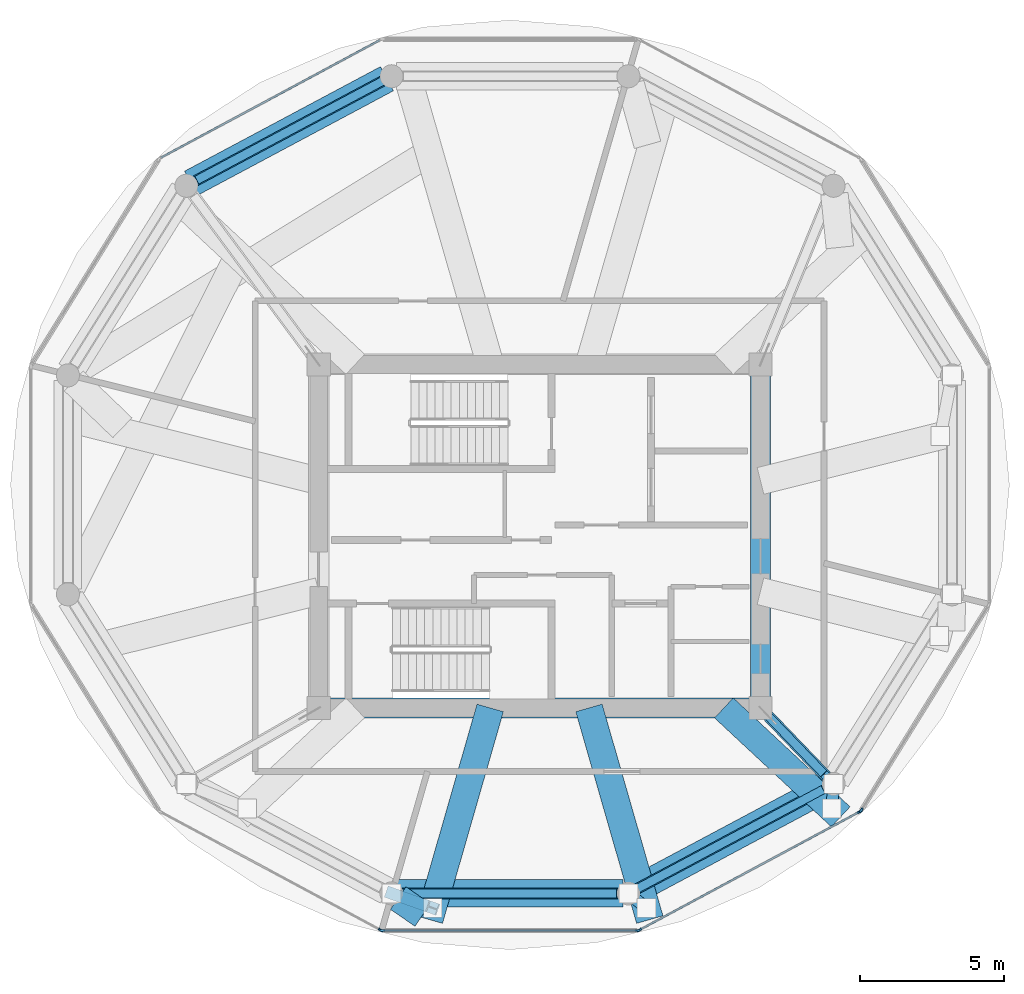
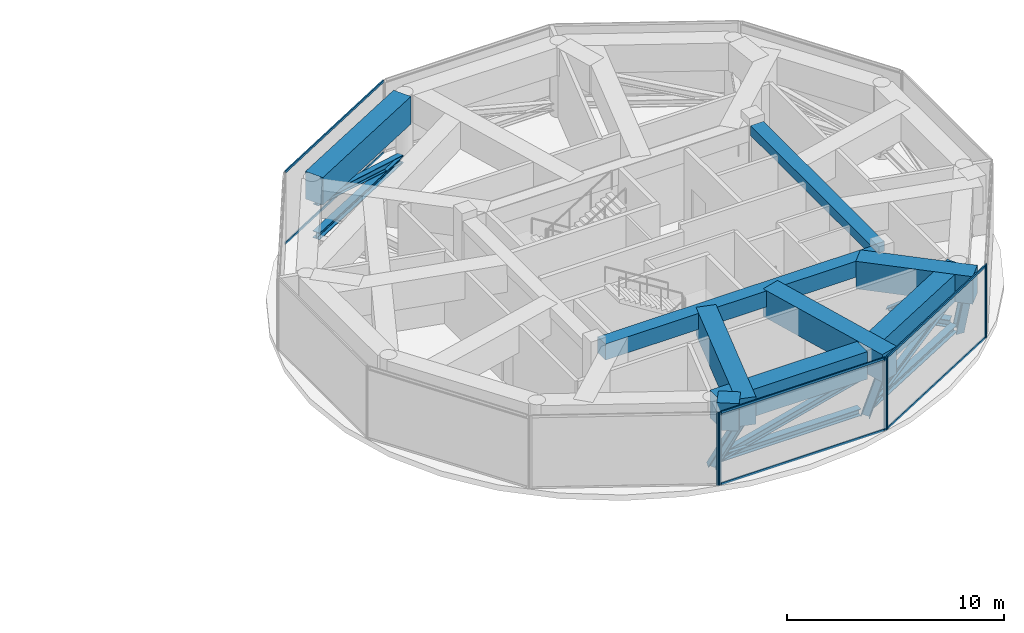
# One storey, part 8 of 20: 23 members, 9 beams, 5 elements without a shape of their own.
"""IFC4 building model written with IfcOpenShell, lengths in metres."""

import ifcopenshell
import ifcopenshell.guid

model = None  # the IFC model being written
_history = None  # IfcOwnerHistory: only IFC2X3 demands one
_inside = {}  # id of a spatial element -> (the spatial element, [elements in it])
_under = {}  # id of a project, library or spatial element -> (it, [spatial elements below it])
_declared = {}  # id of a project -> (the project, [libraries it declares])
_typed = {}  # id of a type object -> (the type object, [elements of that type])
_made_of = {}  # id of a material, layer set ... -> (it, [elements and type objects made of it])


def new_model(schema):
    """Start an empty IFC model of exactly this schema.

    Asked for "IFC4X3", IfcOpenShell would pick the latest addendum, in which some entities
    have other attributes; the version numbers below select the first issue.
    IFC2X3 requires an IfcOwnerHistory on every rooted entity: one is made here for all.
    """
    global model, _history
    if schema == "IFC4X3":
        model = ifcopenshell.file(schema_version=(4, 3, 0, 0))
    else:
        model = ifcopenshell.file(schema=schema)
    _inside.clear()
    _under.clear()
    _declared.clear()
    _typed.clear()
    _made_of.clear()
    _history = None
    if model.schema == "IFC2X3":
        org = make("IfcOrganization", Name="unknown")
        user = make(
            "IfcPersonAndOrganization",
            ThePerson=make("IfcPerson", FamilyName="unknown"),
            TheOrganization=org,
        )
        app = make(
            "IfcApplication",
            ApplicationDeveloper=org,
            Version="unknown",
            ApplicationFullName="unknown",
            ApplicationIdentifier="unknown",
        )
        _history = make(
            "IfcOwnerHistory",
            OwningUser=user,
            OwningApplication=app,
            ChangeAction="ADDED",
            CreationDate=0,
        )
    return model


def make(cls, **values):
    """One entity of the class cls with the attributes given. An attribute that is None is left unset."""
    return model.create_entity(
        cls, **{name: value for name, value in values.items() if value is not None}
    )


def rooted(cls, **values):
    """An entity with a GlobalId (a new one), such as an element, a storey or a relation."""
    return make(cls, GlobalId=ifcopenshell.guid.new(), OwnerHistory=_history, **values)


def si_unit(unit_type, name, prefix=None):
    """IfcSIUnit, for example si_unit("LENGTHUNIT", "METRE", prefix="MILLI")."""
    return make("IfcSIUnit", UnitType=unit_type, Prefix=prefix, Name=name)


def assignment(units):
    """IfcUnitAssignment: the units of a project."""
    return None if units is None else make("IfcUnitAssignment", Units=units)


def point(xyz):
    """IfcCartesianPoint."""
    return None if xyz is None else make("IfcCartesianPoint", Coordinates=xyz)


def direction(xyz):
    """IfcDirection."""
    return None if xyz is None else make("IfcDirection", DirectionRatios=xyz)


def frame(location, z_axis=None, x_axis=None):
    """IfcAxis2Placement3D, a coordinate frame: its origin and axes. An axis left out is left unset."""
    return make(
        "IfcAxis2Placement3D",
        Location=point(location),
        Axis=direction(z_axis),
        RefDirection=direction(x_axis),
    )


def frame_2d(location, x_axis=None):
    """IfcAxis2Placement2D, a coordinate frame in the plane: its origin and x axis."""
    return make(
        "IfcAxis2Placement2D", Location=point(location), RefDirection=direction(x_axis)
    )


def origin():
    """The frame at (0, 0, 0) with its axes left unset."""
    return frame((0.0, 0.0, 0.0))


def origin_2d():
    """The frame at (0, 0) in the plane with its x axis left unset."""
    return frame_2d((0.0, 0.0))


def place(relative_to, where):
    """IfcLocalPlacement: puts the frame where relative to a parent placement (None: the world)."""
    return make(
        "IfcLocalPlacement", PlacementRelTo=relative_to, RelativePlacement=where
    )


def context(
    kind, dimensions, precision=None, world=None, true_north=None, identifier=None
):
    """IfcGeometricRepresentationContext, for example the 3D "Model" context."""
    return make(
        "IfcGeometricRepresentationContext",
        ContextIdentifier=identifier,
        ContextType=kind,
        CoordinateSpaceDimension=dimensions,
        Precision=precision,
        WorldCoordinateSystem=world,
        TrueNorth=true_north,
    )


def subcontext(parent, identifier, kind, view, scale=None):
    """IfcGeometricRepresentationSubContext, for example "Body" below "Model"."""
    return make(
        "IfcGeometricRepresentationSubContext",
        ContextIdentifier=identifier,
        ContextType=kind,
        ParentContext=parent,
        TargetScale=scale,
        TargetView=view,
    )


def project(units=None, contexts=None):
    """IfcProject with its units and contexts."""
    return rooted(
        "IfcProject",
        Name="project",
        RepresentationContexts=contexts,
        UnitsInContext=assignment(units),
    )


def spatial(cls, under=None, at=None, **own):
    """A site, building, storey or space (cls), placed at a placement, below another one or the project."""
    s = rooted(cls, ObjectPlacement=at, **own)
    if under is not None:
        _under.setdefault(under.id(), (under, []))[1].append(s)
    return s


def profile(cls, at=None, kind="AREA", **sizes):
    """A parametric profile (cls). Its sizes go by their IFC names, for example OverallWidth=200.0."""
    return make(cls, ProfileType=kind, Position=at, **sizes)


def rectangle(**sizes):
    """IfcRectangleProfileDef."""
    return profile("IfcRectangleProfileDef", **sizes)


def i_section(**sizes):
    """IfcIShapeProfileDef."""
    return profile("IfcIShapeProfileDef", **sizes)


def extrude(swept, where, along, depth):
    """IfcExtrudedAreaSolid: the profile swept, set in the frame where, extruded along a direction by depth."""
    return make(
        "IfcExtrudedAreaSolid",
        SweptArea=swept,
        Position=where,
        ExtrudedDirection=direction(along),
        Depth=depth,
    )


def shape(context_of_items, identifier, shape_type, items):
    """IfcShapeRepresentation: the items that make up one representation, for example the "Body"."""
    return make(
        "IfcShapeRepresentation",
        ContextOfItems=context_of_items,
        RepresentationIdentifier=identifier,
        RepresentationType=shape_type,
        Items=items,
    )


def source(mapping_origin, context_of_items, identifier, shape_type, items):
    """IfcRepresentationMap: a shape defined once, which mapped items show again and again."""
    return make(
        "IfcRepresentationMap",
        MappingOrigin=mapping_origin,
        MappedRepresentation=shape(context_of_items, identifier, shape_type, items),
    )


def transform(
    local_origin,
    x_axis=None,
    y_axis=None,
    z_axis=None,
    scale=None,
    scale2=None,
    scale3=None,
    uniform=True,
):
    """IfcCartesianTransformationOperator3D, or its non-uniform kind. x_axis, y_axis, z_axis: its Axis1, 2, 3."""
    if uniform:
        return make(
            "IfcCartesianTransformationOperator3D",
            Axis1=direction(x_axis),
            Axis2=direction(y_axis),
            LocalOrigin=point(local_origin),
            Scale=scale,
            Axis3=direction(z_axis),
        )
    return make(
        "IfcCartesianTransformationOperator3DnonUniform",
        Axis1=direction(x_axis),
        Axis2=direction(y_axis),
        LocalOrigin=point(local_origin),
        Scale=scale,
        Axis3=direction(z_axis),
        Scale2=scale2,
        Scale3=scale3,
    )


def mapped(mapping_source, mapping_target):
    """IfcMappedItem: shows the shape of a source again, moved by a transform."""
    return make(
        "IfcMappedItem", MappingSource=mapping_source, MappingTarget=mapping_target
    )


def material(Name=None, Category=None):
    """IfcMaterial."""
    return make("IfcMaterial", Name=Name, Category=Category)


def layer(
    of_material, thickness, ventilated=None, Name=None, Category=None, Priority=None
):
    """IfcMaterialLayer: one layer of a wall or slab, of a material (None: an air gap)."""
    return make(
        "IfcMaterialLayer",
        Material=of_material,
        LayerThickness=thickness,
        IsVentilated=ventilated,
        Name=Name,
        Category=Category,
        Priority=Priority,
    )


def layer_set(layers, Name=None):
    """IfcMaterialLayerSet."""
    return make("IfcMaterialLayerSet", MaterialLayers=layers, LayerSetName=Name)


def material_profile(
    of_material, cross_section, Name=None, Category=None, Priority=None
):
    """IfcMaterialProfile: a cross section and its material."""
    return make(
        "IfcMaterialProfile",
        Name=Name,
        Material=of_material,
        Profile=cross_section,
        Priority=Priority,
        Category=Category,
    )


def profile_set(profiles, Name=None, composite=None):
    """IfcMaterialProfileSet."""
    return make(
        "IfcMaterialProfileSet",
        Name=Name,
        MaterialProfiles=profiles,
        CompositeProfile=composite,
    )


def made_of(thing, what):
    """Note that an element or type object is made of a material, layer set ...; save() writes the relation."""
    if what is not None:
        _made_of.setdefault(what.id(), (what, []))[1].append(thing)
    return thing


def type_object(cls, material=None, **own):
    """A type object (cls), such as IfcWallType, which elements share."""
    return made_of(rooted(cls, **own), material)


def type_shapes(of_type, sources):
    """Give a type object the sources (RepresentationMaps) that its elements show as mapped items."""
    of_type.RepresentationMaps = sources


def element(
    cls,
    number,
    at=None,
    inside=None,
    cuts=None,
    type_object=None,
    material=None,
    context=None,
    identifier="Body",
    shape_type=None,
    held_by="IfcProductDefinitionShape",
    body=None,
    shapes=None,
    **own,
):
    """One element of the class cls, such as IfcWall. Its Tag is "e" and its number.

    at: its placement. inside: the storey or other place that contains it. cuts: it is an
    opening in that element (IfcRelVoidsElement). A single representation is given by context,
    identifier, shape_type and body (its items); several are given by shapes. held_by: the class
    of the entity that holds the representations. save() writes the other relations.
    """
    e = rooted(cls, Tag="e%d" % number, ObjectPlacement=at, **own)
    if body is not None:
        shapes = [shape(context, identifier, shape_type, body)]
    if shapes is not None:
        e.Representation = make(held_by, Representations=shapes)
    if inside is not None:
        _inside.setdefault(inside.id(), (inside, []))[1].append(e)
    if cuts is not None:
        rooted(
            "IfcRelVoidsElement", RelatingBuildingElement=cuts, RelatedOpeningElement=e
        )
    if type_object is not None:
        _typed.setdefault(type_object.id(), (type_object, []))[1].append(e)
    return made_of(e, material)


def aggregate(whole, parts):
    """IfcRelAggregates: a whole, such as a stair, and the parts it consists of."""
    return rooted("IfcRelAggregates", RelatingObject=whole, RelatedObjects=parts)


def save(model, path):
    """Write the relations noted so far, then the file.

    IfcRelAggregates (storeys below a building ...), IfcRelContainedInSpatialStructure (elements
    in a storey), IfcRelDefinesByType, IfcRelAssociatesMaterial and IfcRelDeclares: one each for
    every whole, place, type object, material and project.
    """
    for whole, parts in _under.values():
        aggregate(whole, parts)
    for where, things in _inside.values():
        rooted(
            "IfcRelContainedInSpatialStructure",
            RelatedElements=things,
            RelatingStructure=where,
        )
    for kind, things in _typed.values():
        rooted("IfcRelDefinesByType", RelatedObjects=things, RelatingType=kind)
    for what, things in _made_of.values():
        rooted("IfcRelAssociatesMaterial", RelatedObjects=things, RelatingMaterial=what)
    for by, libraries in _declared.values():
        rooted("IfcRelDeclares", RelatingContext=by, RelatedDefinitions=libraries)
    model.write(path)


model = new_model("IFC4")

# Units and contexts
model_context = context("Model", 3, precision=1e-05, world=origin(), true_north=direction((0.0, 1.0)))
body_context = subcontext(model_context, "Body", "Model", "MODEL_VIEW")
ifc_project = project(units=[si_unit("LENGTHUNIT", "METRE"), si_unit("AREAUNIT", "SQUARE_METRE"), si_unit("VOLUMEUNIT", "CUBIC_METRE"), si_unit("PLANEANGLEUNIT", "RADIAN"), si_unit("MASSUNIT", "GRAM", prefix="KILO")], contexts=[model_context])

# Site, building, storey
site_placement = place(None, origin())
site = spatial("IfcSite", under=ifc_project, at=site_placement, CompositionType="ELEMENT")
building_placement = place(site_placement, origin())
building = spatial("IfcBuilding", under=site, at=building_placement, Name="Norrkilde Senior Care Towers", CompositionType="ELEMENT")
storey_placement = place(building_placement, frame((0.0, 0.0, 186.14990234375)))
storey = spatial("IfcBuildingStorey", under=building, at=storey_placement, Name="L58", CompositionType="ELEMENT", Elevation=186.14990234375)

# Beams
ifc_material_1 = material(Name="Concrete C60/75", Category="concrete")
ifc_material_profile_1 = material_profile(ifc_material_1, rectangle(XDim=0.699951171875, YDim=0.89990234375, at=origin_2d()), Name="RC BM 700x900")
ifc_profile_set_1 = profile_set([ifc_material_profile_1], Name="Concrete C60/75")
beam_type_1 = type_object("IfcBeamType", Name="Core Coupling Girder 700x900", PredefinedType="USERDEFINED", material=ifc_profile_set_1)
shared_shape_1 = source(origin(), body_context, "Body", "SweptSolid", [
    extrude(rectangle(XDim=0.699951171875, YDim=0.89990234375, at=origin_2d()), origin(), (0.0, 0.0, 1.0), 14.5400390625),
])
type_shapes(beam_type_1, [shared_shape_1])
beam_1_placement = place(storey_placement, frame((20.72998046875, -5.949951171875, 3.630126953125), z_axis=(1.0, 0.0, 0.0), x_axis=(0.0, 1.0, 0.0)))
element("IfcBeam", 1, at=beam_1_placement, inside=storey, type_object=beam_type_1, Name="L58 Core E S Coupling Girder", ObjectType="GIRDER", PredefinedType="USERDEFINED", context=body_context, shape_type="MappedRepresentation", body=[
    mapped(shared_shape_1, transform((0.0, 0.0, 0.0), x_axis=(1.0, 0.0, 0.0), y_axis=(0.0, 1.0, 0.0), z_axis=(0.0, 0.0, 1.0), scale=1.0)),
])
ifc_material_profile_2 = material_profile(ifc_material_1, rectangle(XDim=0.699951171875, YDim=0.550048828125, at=origin_2d()), Name="RC BM 700x550")
ifc_profile_set_2 = profile_set([ifc_material_profile_2], Name="Concrete C60/75")
beam_type_2 = type_object("IfcBeamType", Name="Core Portal Coupling Beam 700x550", PredefinedType="USERDEFINED", material=ifc_profile_set_2)
shared_shape_2 = source(origin(), body_context, "Body", "SweptSolid", [
    extrude(rectangle(XDim=0.699951171875, YDim=0.550048828125, at=origin_2d()), origin(), (0.0, 0.0, 1.0), 11.14013671875),
])
type_shapes(beam_type_2, [shared_shape_2])
beam_2_placement = place(storey_placement, frame((35.64990234375, -5.570068359375, 3.80517578125), z_axis=(0.0, 1.0, 0.0), x_axis=(-1.0, 0.0, 0.0)))
element("IfcBeam", 2, at=beam_2_placement, inside=storey, type_object=beam_type_2, Name="L58 Core E E Coupling Girder", ObjectType="GIRDER", PredefinedType="USERDEFINED", context=body_context, shape_type="MappedRepresentation", body=[
    mapped(shared_shape_2, transform((0.0, 0.0, 0.0), x_axis=(1.0, 0.0, 0.0), y_axis=(0.0, 1.0, 0.0), z_axis=(0.0, 0.0, 1.0), scale=1.0)),
])
ifc_material_profile_3 = material_profile(ifc_material_1, rectangle(XDim=0.949951171875, YDim=1.550048828125, at=origin_2d()), Name="RC TG 950x1550")
ifc_profile_set_3 = profile_set([ifc_material_profile_3], Name="Concrete C60/75")
beam_type_3 = type_object("IfcBeamType", Name="Transfer Girder Zone Shift 950x1550", PredefinedType="USERDEFINED", material=ifc_profile_set_3)
shared_shape_3 = source(origin(), body_context, "Body", "SweptSolid", [
    extrude(rectangle(XDim=0.949951171875, YDim=1.550048828125, at=origin_2d()), origin(), (0.0, 0.0, 1.0), 7.693603515625),
])
beam_3_placement = place(storey_placement, frame((22.7138671875, 15.84130859375, 3.30517578125), z_axis=(-0.882243992808, -0.470792456561, 0.0), x_axis=(0.470792456561, -0.882243992808, 0.0)))
element("IfcBeam", 3, at=beam_3_placement, inside=storey, type_object=beam_type_3, Name="L58 Drum E Zone Ring Transfer Girder 04", ObjectType="GIRDER", PredefinedType="USERDEFINED", context=body_context, shape_type="MappedRepresentation", body=[
    mapped(shared_shape_3, transform((0.0, 0.0, 0.0), x_axis=(1.0, 0.0, 0.0), y_axis=(0.0, 1.0, 0.0), z_axis=(0.0, 0.0, 1.0), scale=1.0)),
])
shared_shape_4 = source(origin(), body_context, "Body", "SweptSolid", [
    extrude(rectangle(XDim=0.949951171875, YDim=1.550048828125, at=origin_2d()), origin(), (0.0, 0.0, 1.0), 7.844482421875),
])
beam_4_placement = place(storey_placement, frame((23.052734375, -12.37548828125, 3.30517578125), z_axis=(1.0, 0.0, 0.0), x_axis=(0.0, 1.0, 0.0)))
element("IfcBeam", 4, at=beam_4_placement, inside=storey, type_object=beam_type_3, Name="L58 Drum E Zone Ring Transfer Girder 09", ObjectType="GIRDER", PredefinedType="USERDEFINED", context=body_context, shape_type="MappedRepresentation", body=[
    mapped(shared_shape_4, transform((0.0, 0.0, 0.0), x_axis=(1.0, 0.0, 0.0), y_axis=(0.0, 1.0, 0.0), z_axis=(0.0, 0.0, 1.0), scale=1.0)),
])
shared_shape_5 = source(origin(), body_context, "Body", "SweptSolid", [
    extrude(rectangle(XDim=0.949951171875, YDim=1.550048828125, at=origin_2d()), origin(), (0.0, 0.0, 1.0), 7.69384765625),
])
beam_5_placement = place(storey_placement, frame((31.236083984375, -12.290771484375, 3.30517578125), z_axis=(0.88223784603, 0.470803975166, 0.0), x_axis=(-0.470803975166, 0.88223784603, 0.0)))
element("IfcBeam", 5, at=beam_5_placement, inside=storey, type_object=beam_type_3, Name="L58 Drum E Zone Ring Transfer Girder 10", ObjectType="GIRDER", PredefinedType="USERDEFINED", context=body_context, shape_type="MappedRepresentation", body=[
    mapped(shared_shape_5, transform((0.0, 0.0, 0.0), x_axis=(1.0, 0.0, 0.0), y_axis=(0.0, 1.0, 0.0), z_axis=(0.0, 0.0, 1.0), scale=1.0)),
])
shared_shape_6 = source(origin(), body_context, "Body", "SweptSolid", [
    extrude(rectangle(XDim=0.949951171875, YDim=1.550048828125, at=origin_2d()), origin(), (0.0, 0.0, 1.0), 5.532958984375),
])
beam_6_placement = place(storey_placement, frame((34.3828125, -5.949951171875, 3.30517578125), z_axis=(0.731470395808, -0.681873199398, 0.0), x_axis=(0.681873199398, 0.731470395808, 0.0)))
element("IfcBeam", 6, at=beam_6_placement, inside=storey, type_object=beam_type_3, Name="L58 Drum E Zone Transfer Girder 11", ObjectType="GIRDER", PredefinedType="USERDEFINED", context=body_context, shape_type="MappedRepresentation", body=[
    mapped(shared_shape_6, transform((0.0, 0.0, 0.0), x_axis=(1.0, 0.0, 0.0), y_axis=(0.0, 1.0, 0.0), z_axis=(0.0, 0.0, 1.0), scale=1.0)),
])

# Member
ifc_material_2 = material(Name="Steel S355", Category="steel")
ifc_material_profile_4 = material_profile(ifc_material_2, i_section(OverallWidth=0.412109375, OverallDepth=0.449951171875, WebThickness=0.028076171875, FlangeThickness=0.044921875, FilletRadius=0.014892578125, at=origin_2d()), Name="HD 400x509")
ifc_profile_set_4 = profile_set([ifc_material_profile_4], Name="Steel S355")
member_type_1 = type_object("IfcMemberType", Name="Pratt Bridge Truss Diagonal HD400x509", PredefinedType="BRACE", material=ifc_profile_set_4)
shared_shape_7 = source(origin(), body_context, "Body", "SweptSolid", [
    extrude(i_section(OverallWidth=0.412109375, OverallDepth=0.449951171875, WebThickness=0.028076171875, FlangeThickness=0.044921875, FilletRadius=0.014892578125, at=origin_2d()), origin(), (0.0, 0.0, 1.0), 2.81298828125),
])
member_1_placement = place(storey_placement, frame((38.1826171875, -8.583740234375, 0.150146484375), z_axis=(-0.021351053054, -0.303080801884, 0.952725647846), x_axis=(0.99752782651, -0.070272578844, 0.0)))
element("IfcMember", 7, at=member_1_placement, inside=storey, type_object=member_type_1, Name="L58 Drum E Zone Transfer Raking Strut 11", PredefinedType="BRACE", context=body_context, shape_type="MappedRepresentation", body=[
    mapped(shared_shape_7, transform((0.0, 0.0, 0.0), x_axis=(1.0, 0.0, 0.0), y_axis=(0.0, 1.0, 0.0), z_axis=(0.0, 0.0, 1.0), scale=1.0)),
])

# Beams
shared_shape_8 = source(origin(), body_context, "Body", "SweptSolid", [
    extrude(rectangle(XDim=0.949951171875, YDim=1.550048828125, at=origin_2d()), origin(), (0.0, 0.0, 1.0), 7.62841796875),
])
for number, where, z_axis, x_axis, name in (
    (8, (26.289794921875, -5.949951171875, 3.30517578125), (-0.276259388363, -0.961083113129, 0.0), (0.961083113129, -0.276259388363, 0.0), "L58 Drum E Zone Transfer Girder 09"),
    (9, (29.710205078125, -5.949951171875, 3.30517578125), (0.276259388363, -0.961083113129, 0.0), (0.961083113129, 0.276259388363, 0.0), "L58 Drum E Zone Transfer Girder 10"),
):
    element("IfcBeam", number, at=place(storey_placement, frame(where, z_axis=z_axis, x_axis=x_axis)), inside=storey, type_object=beam_type_3, Name=name, ObjectType="GIRDER", PredefinedType="USERDEFINED", context=body_context, shape_type="MappedRepresentation", body=[
        mapped(shared_shape_8, transform((0.0, 0.0, 0.0), x_axis=(1.0, 0.0, 0.0), y_axis=(0.0, 1.0, 0.0), z_axis=(0.0, 0.0, 1.0), scale=1.0)),
    ])

# Members
shared_shape_9 = source(origin(), body_context, "Body", "SweptSolid", [
    extrude(i_section(OverallWidth=0.412109375, OverallDepth=0.449951171875, WebThickness=0.028076171875, FlangeThickness=0.044921875, FilletRadius=0.014892578125, at=origin_2d()), origin(), (0.0, 0.0, 1.0), 2.797119140625),
])
member_2_placement = place(storey_placement, frame((31.077392578125, -12.37548828125, 0.150146484375), z_axis=(0.223177834315, -0.179624553391, 0.958084899208), x_axis=(0.626995876772, 0.779022573813, 0.0)))
element("IfcMember", 10, at=member_2_placement, inside=storey, type_object=member_type_1, Name="L58 Drum E Zone Transfer Raking Strut 10", PredefinedType="BRACE", context=body_context, shape_type="MappedRepresentation", body=[
    mapped(shared_shape_9, transform((0.0, 0.0, 0.0), x_axis=(1.0, 0.0, 0.0), y_axis=(0.0, 1.0, 0.0), z_axis=(0.0, 0.0, 1.0), scale=1.0)),
])
shared_shape_10 = source(origin(), body_context, "Body", "SweptSolid", [
    extrude(i_section(OverallWidth=0.412109375, OverallDepth=0.449951171875, WebThickness=0.028076171875, FlangeThickness=0.044921875, FilletRadius=0.014892578125, at=origin_2d()), origin(), (0.0, 0.0, 1.0), 3.076904296875),
])
type_shapes(member_type_1, [shared_shape_7, shared_shape_9, shared_shape_10])
member_3_placement = place(storey_placement, frame((22.872802734375, -12.37548828125, 0.150146484375), z_axis=(0.463319591503, -0.163300517094, 0.871015440303), x_axis=(0.332414539727, 0.943133380693, 0.0)))
element("IfcMember", 11, at=member_3_placement, inside=storey, type_object=member_type_1, Name="L58 Drum E Zone Transfer Raking Strut 09", PredefinedType="BRACE", context=body_context, shape_type="MappedRepresentation", body=[
    mapped(shared_shape_10, transform((0.0, 0.0, 0.0), x_axis=(1.0, 0.0, 0.0), y_axis=(0.0, 1.0, 0.0), z_axis=(0.0, 0.0, 1.0), scale=1.0)),
])

# Beam
shared_shape_11 = source(origin(), body_context, "Body", "SweptSolid", [
    extrude(rectangle(XDim=0.949951171875, YDim=1.550048828125, at=origin_2d()), origin(), (0.0, 0.0, 1.0), 1.032470703125),
])
type_shapes(beam_type_3, [shared_shape_3, shared_shape_4, shared_shape_5, shared_shape_6, shared_shape_8, shared_shape_11])
beam_7_placement = place(storey_placement, frame((23.9521484375, -13.1220703125, 3.30517578125), z_axis=(-0.822396437283, 0.568914844193, 0.0), x_axis=(-0.568914844193, -0.822396437283, 0.0)))
element("IfcBeam", 12, at=beam_7_placement, inside=storey, type_object=beam_type_3, Name="L58 Drum E Zone Star Transfer Tie 09", ObjectType="GIRDER", PredefinedType="USERDEFINED", context=body_context, shape_type="MappedRepresentation", body=[
    mapped(shared_shape_11, transform((0.0, 0.0, 0.0), x_axis=(1.0, 0.0, 0.0), y_axis=(0.0, 1.0, 0.0), z_axis=(0.0, 0.0, 1.0), scale=1.0)),
])

# Members
ifc_material_profile_5 = material_profile(ifc_material_2, i_section(OverallWidth=0.3740234375, OverallDepth=0.386962890625, WebThickness=0.01611328125, FlangeThickness=0.027099609375, FilletRadius=0.014892578125, at=origin_2d()), Name="HD 360x262")
ifc_profile_set_5 = profile_set([ifc_material_profile_5], Name="Steel S355")
member_type_2 = type_object("IfcMemberType", Name="Belt Truss Ring Chord HD360x262", PredefinedType="CHORD", material=ifc_profile_set_5)
shared_shape_12 = source(origin(), body_context, "Body", "SweptSolid", [
    extrude(i_section(OverallWidth=0.3740234375, OverallDepth=0.386962890625, WebThickness=0.01611328125, FlangeThickness=0.027099609375, FilletRadius=0.014892578125, at=origin_2d()), origin(), (0.0, 0.0, 1.0), 7.333740234375),
])
member_4_placement = place(storey_placement, frame((22.55517578125, 15.756591796875, 0.550048828125), z_axis=(-0.882247866069, -0.470785198172, 0.0), x_axis=(0.470785198172, -0.882247866069, 0.0)))
element("IfcMember", 13, at=member_4_placement, inside=storey, type_object=member_type_2, Name="L58 Drum E Belt Truss Bottom Chord 04", PredefinedType="CHORD", context=body_context, shape_type="MappedRepresentation", body=[
    mapped(shared_shape_12, transform((0.0, 0.0, 0.0), x_axis=(1.0, 0.0, 0.0), y_axis=(0.0, 1.0, 0.0), z_axis=(0.0, 0.0, 1.0), scale=1.0)),
])
ifc_material_profile_6 = material_profile(ifc_material_2, i_section(OverallWidth=0.300048828125, OverallDepth=0.39990234375, WebThickness=0.013427734375, FlangeThickness=0.02392578125, FilletRadius=0.027099609375, at=origin_2d()), Name="HEB 400")
ifc_profile_set_6 = profile_set([ifc_material_profile_6], Name="Steel S355")
member_type_3 = type_object("IfcMemberType", Name="Belt Truss Diagonal HEB400", PredefinedType="BRACE", material=ifc_profile_set_6)
shared_shape_13 = source(origin(), body_context, "Body", "SweptSolid", [
    extrude(i_section(OverallWidth=0.300048828125, OverallDepth=0.39990234375, WebThickness=0.013427734375, FlangeThickness=0.02392578125, FilletRadius=0.027099609375, at=origin_2d()), origin(), (0.0, 0.0, 1.0), 7.58349609375),
])
for number, where, z_axis, x_axis, name in (
    (14, (22.55517578125, 15.756591796875, 0.550048828125), (-0.853199772835, -0.455284551635, 0.254491895112), (0.470785198172, -0.882247866069, 0.0), "L58 Drum E Belt Truss Diagonal 04"),
    (15, (31.394775390625, -12.2060546875, 0.550048828125), (0.853187267033, 0.455310071604, 0.254488164889), (-0.470811109101, 0.882234038987, 0.0), "L58 Drum E Belt Truss Diagonal 10"),
):
    element("IfcMember", number, at=place(storey_placement, frame(where, z_axis=z_axis, x_axis=x_axis)), inside=storey, type_object=member_type_3, Name=name, PredefinedType="BRACE", context=body_context, shape_type="MappedRepresentation", body=[
        mapped(shared_shape_13, transform((0.0, 0.0, 0.0), x_axis=(1.0, 0.0, 0.0), y_axis=(0.0, 1.0, 0.0), z_axis=(0.0, 0.0, 1.0), scale=1.0)),
    ])
shared_shape_14 = source(origin(), body_context, "Body", "SweptSolid", [
    extrude(i_section(OverallWidth=0.3740234375, OverallDepth=0.386962890625, WebThickness=0.01611328125, FlangeThickness=0.027099609375, FilletRadius=0.014892578125, at=origin_2d()), origin(), (0.0, 0.0, 1.0), 7.484619140625),
])
member_5_placement = place(storey_placement, frame((23.232666015625, -12.37548828125, 0.550048828125), z_axis=(1.0, 0.0, 0.0), x_axis=(0.0, 1.0, 0.0)))
element("IfcMember", 16, at=member_5_placement, inside=storey, type_object=member_type_2, Name="L58 Drum E Belt Truss Bottom Chord 09", PredefinedType="CHORD", context=body_context, shape_type="MappedRepresentation", body=[
    mapped(shared_shape_14, transform((0.0, 0.0, 0.0), x_axis=(1.0, 0.0, 0.0), y_axis=(0.0, 1.0, 0.0), z_axis=(0.0, 0.0, 1.0), scale=1.0)),
])
shared_shape_15 = source(origin(), body_context, "Body", "SweptSolid", [
    extrude(i_section(OverallWidth=0.300048828125, OverallDepth=0.39990234375, WebThickness=0.013427734375, FlangeThickness=0.02392578125, FilletRadius=0.027099609375, at=origin_2d()), origin(), (0.0, 0.0, 1.0), 7.7294921875),
])
type_shapes(member_type_3, [shared_shape_13, shared_shape_15])
member_6_placement = place(storey_placement, frame((23.232666015625, -12.37548828125, 0.550048828125), z_axis=(0.968326855908, 0.0, 0.249686003065), x_axis=(0.0, 1.0, 0.0)))
element("IfcMember", 17, at=member_6_placement, inside=storey, type_object=member_type_3, Name="L58 Drum E Belt Truss Diagonal 09", PredefinedType="BRACE", context=body_context, shape_type="MappedRepresentation", body=[
    mapped(shared_shape_15, transform((0.0, 0.0, 0.0), x_axis=(1.0, 0.0, 0.0), y_axis=(0.0, 1.0, 0.0), z_axis=(0.0, 0.0, 1.0), scale=1.0)),
])
shared_shape_16 = source(origin(), body_context, "Body", "SweptSolid", [
    extrude(i_section(OverallWidth=0.3740234375, OverallDepth=0.386962890625, WebThickness=0.01611328125, FlangeThickness=0.027099609375, FilletRadius=0.014892578125, at=origin_2d()), origin(), (0.0, 0.0, 1.0), 7.333984375),
])
type_shapes(member_type_2, [shared_shape_12, shared_shape_14, shared_shape_16])
member_7_placement = place(storey_placement, frame((31.394775390625, -12.2060546875, 0.550048828125), z_axis=(0.882234038987, 0.470811109101, 0.0), x_axis=(-0.470811109101, 0.882234038987, 0.0)))
element("IfcMember", 18, at=member_7_placement, inside=storey, type_object=member_type_2, Name="L58 Drum E Belt Truss Bottom Chord 10", PredefinedType="CHORD", context=body_context, shape_type="MappedRepresentation", body=[
    mapped(shared_shape_16, transform((0.0, 0.0, 0.0), x_axis=(1.0, 0.0, 0.0), y_axis=(0.0, 1.0, 0.0), z_axis=(0.0, 0.0, 1.0), scale=1.0)),
])
ifc_material_profile_7 = material_profile(ifc_material_2, i_section(OverallWidth=0.402099609375, OverallDepth=0.419921875, WebThickness=0.02001953125, FlangeThickness=0.032958984375, FilletRadius=0.014892578125, at=origin_2d()), Name="HD 400x347")
ifc_profile_set_7 = profile_set([ifc_material_profile_7], Name="Steel S355")
member_type_4 = type_object("IfcMemberType", Name="Outrigger Truss Chord HD400x347", PredefinedType="CHORD", material=ifc_profile_set_7)
shared_shape_17 = source(origin(), body_context, "Body", "SweptSolid", [
    extrude(i_section(OverallWidth=0.402099609375, OverallDepth=0.419921875, WebThickness=0.02001953125, FlangeThickness=0.032958984375, FilletRadius=0.014892578125, at=origin_2d()), origin(), (0.0, 0.0, 1.0), 2.933837890625),
])
type_shapes(member_type_4, [shared_shape_17])
member_8_placement = place(storey_placement, frame((35.8994140625, -6.20947265625, 0.550048828125), z_axis=(0.693158603606, -0.720785092969, 0.0), x_axis=(0.720785092969, 0.693158603606, 0.0)))
element("IfcMember", 19, at=member_8_placement, inside=storey, type_object=member_type_4, Name="L58 Drum E Outrigger Chord 2", PredefinedType="CHORD", context=body_context, shape_type="MappedRepresentation", body=[
    mapped(shared_shape_17, transform((0.0, 0.0, 0.0), x_axis=(1.0, 0.0, 0.0), y_axis=(0.0, 1.0, 0.0), z_axis=(0.0, 0.0, 1.0), scale=1.0)),
])
ifc_material_profile_8 = material_profile(ifc_material_2, i_section(OverallWidth=0.300048828125, OverallDepth=0.5, WebThickness=0.014404296875, FlangeThickness=0.028076171875, FilletRadius=0.027099609375, at=origin_2d()), Name="HEB 500")
ifc_profile_set_8 = profile_set([ifc_material_profile_8], Name="Steel S355")
member_type_5 = type_object("IfcMemberType", Name="Outrigger Truss Diagonal HEB500", PredefinedType="BRACE", material=ifc_profile_set_8)
shared_shape_18 = source(origin(), body_context, "Body", "SweptSolid", [
    extrude(i_section(OverallWidth=0.300048828125, OverallDepth=0.5, WebThickness=0.014404296875, FlangeThickness=0.028076171875, FilletRadius=0.027099609375, at=origin_2d()), origin(), (0.0, 0.0, 1.0), 3.51171875),
])
type_shapes(member_type_5, [shared_shape_18])
member_9_placement = place(storey_placement, frame((35.8994140625, -6.20947265625, 0.550048828125), z_axis=(0.579103490549, -0.602184205898, 0.549557394092), x_axis=(0.720785092969, 0.693158603606, 0.0)))
element("IfcMember", 20, at=member_9_placement, inside=storey, type_object=member_type_5, Name="L58 Drum E Outrigger Diagonal 2", PredefinedType="BRACE", context=body_context, shape_type="MappedRepresentation", body=[
    mapped(shared_shape_18, transform((0.0, 0.0, 0.0), x_axis=(1.0, 0.0, 0.0), y_axis=(0.0, 1.0, 0.0), z_axis=(0.0, 0.0, 1.0), scale=1.0)),
])

# Curtain wall, member
ifc_material_3 = material(Name="Triple Low-E Insulated Glazing", Category="glass")
ifc_layer = layer(ifc_material_3, 0.18505859375)
ifc_layer_set = layer_set([ifc_layer], Name="Triple Low-E Insulated Glazing")
curtain_wall_type = type_object("IfcCurtainWallType", Name="CW6 Zone 4 Crown Pavilion Curtain Wall", PredefinedType="NOTDEFINED", material=ifc_layer_set)
curtain_wall_1_placement = place(storey_placement, origin())
curtain_wall_1 = element("IfcCurtainWall", 21, at=curtain_wall_1_placement, inside=storey, type_object=curtain_wall_type, Name="L58 Drum E Curtain Wall 07", PredefinedType="NOTDEFINED")
ifc_material_4 = material(Name="Anodised Aluminium", Category="aluminium")
ifc_material_profile_9 = material_profile(ifc_material_4, rectangle(XDim=0.070068359375, YDim=0.169921875, at=origin_2d()), Name="ALU MULL 70x170")
ifc_profile_set_9 = profile_set([ifc_material_profile_9], Name="Anodised Aluminium")
member_type_6 = type_object("IfcMemberType", Name="Curtain Wall Mullion Heavy 70x170", PredefinedType="MULLION", material=ifc_profile_set_9)
shared_shape_19 = source(origin(), body_context, "Body", "SweptSolid", [
    extrude(rectangle(XDim=0.070068359375, YDim=0.169921875, at=origin_2d()), origin(), (0.0, 0.0, 1.0), 4.080078125),
])
type_shapes(member_type_6, [shared_shape_19])
member_10_placement = place(storey_placement, frame((22.49755859375, -13.6435546875, 0.0), z_axis=(0.0, 0.0, 1.0), x_axis=(-0.47311715104, -0.880999524059, 0.0)))
member_10 = element("IfcMember", 22, at=member_10_placement, type_object=member_type_6, Name="CW-6 mullion 1", PredefinedType="MULLION", context=body_context, shape_type="MappedRepresentation", body=[
    mapped(shared_shape_19, transform((0.0, 0.0, 0.0), x_axis=(1.0, 0.0, 0.0), y_axis=(0.0, 1.0, 0.0), z_axis=(0.0, 0.0, 1.0), scale=1.0)),
])
aggregate(curtain_wall_1, [member_10])

# Curtain wall, members
curtain_wall_2_placement = place(storey_placement, origin())
curtain_wall_2 = element("IfcCurtainWall", 23, at=curtain_wall_2_placement, inside=storey, type_object=curtain_wall_type, Name="L58 Drum E Curtain Wall 08", PredefinedType="NOTDEFINED")
member_11_placement = place(storey_placement, frame((31.386474609375, -13.66015625, 0.0), z_axis=(0.0, 0.0, 1.0), x_axis=(0.0, -1.0, 0.0)))
member_11 = element("IfcMember", 24, at=member_11_placement, type_object=member_type_6, Name="CW-6 mullion 1", PredefinedType="MULLION", context=body_context, shape_type="MappedRepresentation", body=[
    mapped(shared_shape_19, transform((0.0, 0.0, 0.0), x_axis=(1.0, 0.0, 0.0), y_axis=(0.0, 1.0, 0.0), z_axis=(0.0, 0.0, 1.0), scale=1.0)),
])
member_12_placement = place(storey_placement, frame((22.5634765625, -13.66015625, 0.0), z_axis=(0.0, 0.0, 1.0), x_axis=(0.0, -1.0, 0.0)))
member_12 = element("IfcMember", 25, at=member_12_placement, type_object=member_type_6, Name="CW-6 mullion 2", PredefinedType="MULLION", context=body_context, shape_type="MappedRepresentation", body=[
    mapped(shared_shape_19, transform((0.0, 0.0, 0.0), x_axis=(1.0, 0.0, 0.0), y_axis=(0.0, 1.0, 0.0), z_axis=(0.0, 0.0, 1.0), scale=1.0)),
])

curtain_wall_3_placement = place(storey_placement, origin())
curtain_wall_3 = element("IfcCurtainWall", 26, at=curtain_wall_3_placement, inside=storey, type_object=curtain_wall_type, Name="L58 Drum E Curtain Wall 09", PredefinedType="NOTDEFINED")
member_13_placement = place(storey_placement, frame((39.09228515625, -9.540771484375, 0.0), z_axis=(0.0, 0.0, 1.0), x_axis=(0.47311715104, -0.880999524059, 0.0)))
member_13 = element("IfcMember", 27, at=member_13_placement, type_object=member_type_6, Name="CW-6 mullion 1", PredefinedType="MULLION", context=body_context, shape_type="MappedRepresentation", body=[
    mapped(shared_shape_19, transform((0.0, 0.0, 0.0), x_axis=(1.0, 0.0, 0.0), y_axis=(0.0, 1.0, 0.0), z_axis=(0.0, 0.0, 1.0), scale=1.0)),
])
member_14_placement = place(storey_placement, frame((31.452392578125, -13.6435546875, 0.0), z_axis=(0.0, 0.0, 1.0), x_axis=(0.47311715104, -0.880999524059, 0.0)))
member_14 = element("IfcMember", 28, at=member_14_placement, type_object=member_type_6, Name="CW-6 mullion 2", PredefinedType="MULLION", context=body_context, shape_type="MappedRepresentation", body=[
    mapped(shared_shape_19, transform((0.0, 0.0, 0.0), x_axis=(1.0, 0.0, 0.0), y_axis=(0.0, 1.0, 0.0), z_axis=(0.0, 0.0, 1.0), scale=1.0)),
])

# Curtain wall, member
curtain_wall_4_placement = place(storey_placement, origin())
curtain_wall_4 = element("IfcCurtainWall", 29, at=curtain_wall_4_placement, inside=storey, type_object=curtain_wall_type, Name="L58 Drum E Curtain Wall 10", PredefinedType="NOTDEFINED")
member_15_placement = place(storey_placement, frame((39.1416015625, -9.494384765625, 0.0), z_axis=(0.0, 0.0, 1.0), x_axis=(0.84963405474, -0.52737270789, 0.0)))
member_15 = element("IfcMember", 30, at=member_15_placement, type_object=member_type_6, Name="CW-6 mullion 2", PredefinedType="MULLION", context=body_context, shape_type="MappedRepresentation", body=[
    mapped(shared_shape_19, transform((0.0, 0.0, 0.0), x_axis=(1.0, 0.0, 0.0), y_axis=(0.0, 1.0, 0.0), z_axis=(0.0, 0.0, 1.0), scale=1.0)),
])
aggregate(curtain_wall_4, [member_15])

# Curtain wall, members
curtain_wall_5_placement = place(storey_placement, origin())
curtain_wall_5 = element("IfcCurtainWall", 31, at=curtain_wall_5_placement, inside=storey, type_object=curtain_wall_type, Name="L58 Drum E Curtain Wall 03", PredefinedType="NOTDEFINED")
ifc_material_profile_10 = material_profile(ifc_material_4, rectangle(XDim=0.06494140625, YDim=0.1298828125, at=origin_2d()), Name="ALU TRAN 65x130")
ifc_profile_set_10 = profile_set([ifc_material_profile_10], Name="Anodised Aluminium")
member_type_7 = type_object("IfcMemberType", Name="Curtain Wall Transom Heavy 65x130", PredefinedType="USERDEFINED", material=ifc_profile_set_10)
shared_shape_20 = source(origin(), body_context, "Body", "SweptSolid", [
    extrude(rectangle(XDim=0.06494140625, YDim=0.1298828125, at=origin_2d()), origin(), (0.0, 0.0, 1.0), 8.601806640625),
])
member_16_placement = place(storey_placement, frame((14.888671875, 13.108154296875, 0.03271484375), z_axis=(0.881001878067, 0.473112767574, 0.0), x_axis=(-0.473112767574, 0.881001878067, 0.0)))
member_16 = element("IfcMember", 32, at=member_16_placement, type_object=member_type_7, Name="CW-6 transom 1.1", ObjectType="TRANSOM", PredefinedType="USERDEFINED", context=body_context, shape_type="MappedRepresentation", body=[
    mapped(shared_shape_20, transform((0.0, 0.0, 0.0), x_axis=(1.0, 0.0, 0.0), y_axis=(0.0, 1.0, 0.0), z_axis=(0.0, 0.0, 1.0), scale=1.0)),
])
member_17_placement = place(storey_placement, frame((14.888671875, 13.108154296875, 4.047607421875), z_axis=(0.881001878067, 0.473112767574, 0.0), x_axis=(-0.473112767574, 0.881001878067, 0.0)))
member_17 = element("IfcMember", 33, at=member_17_placement, type_object=member_type_7, Name="CW-6 transom 1.2", ObjectType="TRANSOM", PredefinedType="USERDEFINED", context=body_context, shape_type="MappedRepresentation", body=[
    mapped(shared_shape_20, transform((0.0, 0.0, 0.0), x_axis=(1.0, 0.0, 0.0), y_axis=(0.0, 1.0, 0.0), z_axis=(0.0, 0.0, 1.0), scale=1.0)),
])
aggregate(curtain_wall_5, [member_16, member_17])

# Member
member_18_placement = place(storey_placement, frame((39.0615234375, -9.557373046875, 0.03271484375), z_axis=(-0.881008230911, -0.473100937504, 0.0), x_axis=(0.473100937504, -0.881008230911, 0.0)))
member_18 = element("IfcMember", 34, at=member_18_placement, type_object=member_type_7, Name="CW-6 transom 1.1", ObjectType="TRANSOM", PredefinedType="USERDEFINED", context=body_context, shape_type="MappedRepresentation", body=[
    mapped(shared_shape_20, transform((0.0, 0.0, 0.0), x_axis=(1.0, 0.0, 0.0), y_axis=(0.0, 1.0, 0.0), z_axis=(0.0, 0.0, 1.0), scale=1.0)),
])

member_19_placement = place(storey_placement, frame((39.0615234375, -9.557373046875, 4.047607421875), z_axis=(-0.881008230911, -0.473100937504, 0.0), x_axis=(0.473100937504, -0.881008230911, 0.0)))
member_19 = element("IfcMember", 35, at=member_19_placement, type_object=member_type_7, Name="CW-6 transom 1.2", ObjectType="TRANSOM", PredefinedType="USERDEFINED", context=body_context, shape_type="MappedRepresentation", body=[
    mapped(shared_shape_20, transform((0.0, 0.0, 0.0), x_axis=(1.0, 0.0, 0.0), y_axis=(0.0, 1.0, 0.0), z_axis=(0.0, 0.0, 1.0), scale=1.0)),
])

aggregate(curtain_wall_3, [member_13, member_14, member_18, member_19])

shared_shape_21 = source(origin(), body_context, "Body", "SweptSolid", [
    extrude(rectangle(XDim=0.06494140625, YDim=0.1298828125, at=origin_2d()), origin(), (0.0, 0.0, 1.0), 8.753173828125),
])
type_shapes(member_type_7, [shared_shape_20, shared_shape_21])
member_20_placement = place(storey_placement, frame((31.3515625, -13.66015625, 0.03271484375), z_axis=(-1.0, 0.0, 0.0), x_axis=(0.0, -1.0, 0.0)))
member_20 = element("IfcMember", 36, at=member_20_placement, type_object=member_type_7, Name="CW-6 transom 1.1", ObjectType="TRANSOM", PredefinedType="USERDEFINED", context=body_context, shape_type="MappedRepresentation", body=[
    mapped(shared_shape_21, transform((0.0, 0.0, 0.0), x_axis=(1.0, 0.0, 0.0), y_axis=(0.0, 1.0, 0.0), z_axis=(0.0, 0.0, 1.0), scale=1.0)),
])

member_21_placement = place(storey_placement, frame((31.3515625, -13.66015625, 4.047607421875), z_axis=(-1.0, 0.0, 0.0), x_axis=(0.0, -1.0, 0.0)))
member_21 = element("IfcMember", 37, at=member_21_placement, type_object=member_type_7, Name="CW-6 transom 1.2", ObjectType="TRANSOM", PredefinedType="USERDEFINED", context=body_context, shape_type="MappedRepresentation", body=[
    mapped(shared_shape_21, transform((0.0, 0.0, 0.0), x_axis=(1.0, 0.0, 0.0), y_axis=(0.0, 1.0, 0.0), z_axis=(0.0, 0.0, 1.0), scale=1.0)),
])

aggregate(curtain_wall_2, [member_11, member_12, member_20, member_21])

save(model, "model.ifc")
